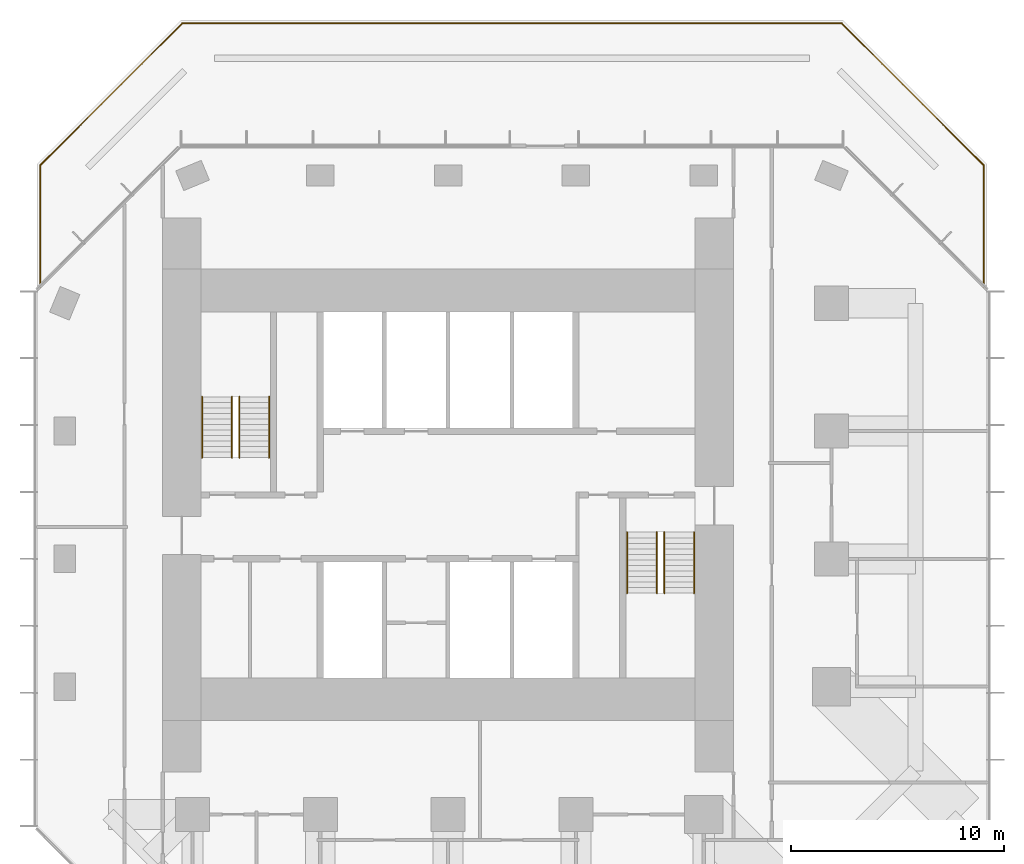
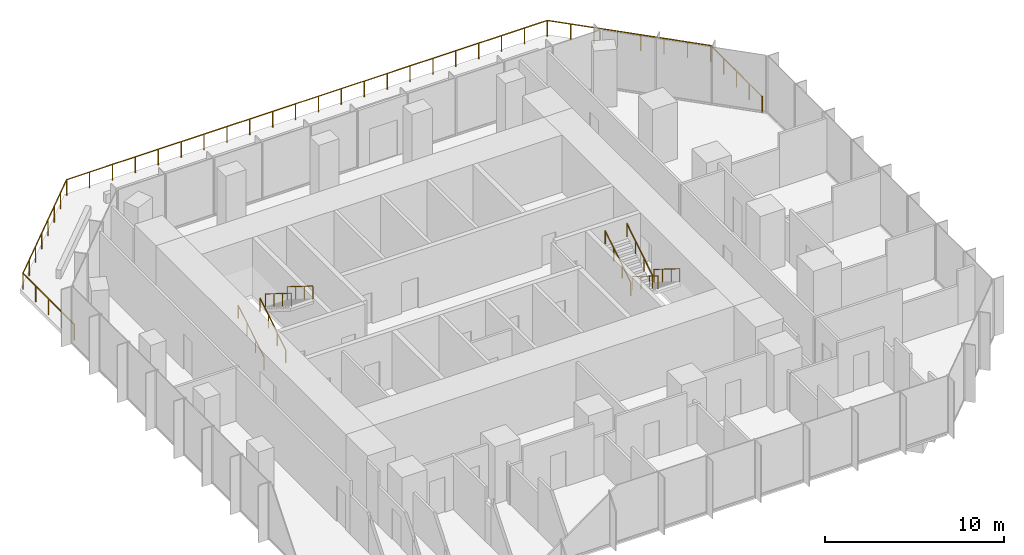
# One storey, part 11 of 11: 9 railings.
"""IFC4 building model written with IfcOpenShell, lengths in metres."""

from ifc_helpers import new_model, si_unit, direction, frame, origin, origin_2d, place, context, subcontext, project, spatial, circle, extrude, material, type_object, element, save


model = new_model("IFC4")

# Units and contexts
model_context = context("Model", 3, precision=1e-05, world=origin(), true_north=direction((0.0, 1.0)))
body_context = subcontext(model_context, "Body", "Model", "MODEL_VIEW")
ifc_project = project(units=[si_unit("LENGTHUNIT", "METRE"), si_unit("AREAUNIT", "SQUARE_METRE"), si_unit("VOLUMEUNIT", "CUBIC_METRE"), si_unit("PLANEANGLEUNIT", "RADIAN"), si_unit("MASSUNIT", "GRAM", prefix="KILO")], contexts=[model_context])

# Site, building, storey
site_placement = place(None, origin())
site = spatial("IfcSite", under=ifc_project, at=site_placement, CompositionType="ELEMENT")
building_placement = place(site_placement, origin())
building = spatial("IfcBuilding", under=site, at=building_placement, Name="Highveld Stack Headquarters", CompositionType="ELEMENT")
storey_placement = place(building_placement, frame((0.0, 0.0, 268.39990234375)))
storey = spatial("IfcBuildingStorey", under=building, at=storey_placement, Name="L66", CompositionType="ELEMENT", Elevation=268.39990234375)

# Railings
ifc_material_1 = material(Name="Stainless steel handrail", Category="steel")
railing_type_1 = type_object("IfcRailingType", Name="STAIR HANDRAIL HR1 900", PredefinedType="HANDRAIL", material=ifc_material_1)
for number, where, name in (
    (1, (-5.550048828125, 4.75, 0.16259765625), "Handrail S1 L66 flight 1"),
    (2, (-4.14990234375, 4.75, 0.16259765625), "Handrail S1 L66 flight 1"),
):
    element("IfcRailing", number, at=place(storey_placement, frame(where)), inside=storey, type_object=railing_type_1, Name=name, PredefinedType="HANDRAIL", context=body_context, shape_type="SweptSolid", body=[
        extrude(circle(Radius=0.02392578125, at=origin_2d()), frame((0.0, 0.0, 0.8759765625), z_axis=(0.0, 0.847994237388, 0.530005446535), x_axis=(-1.0, 0.0, 0.0)), (0.0, 0.0, 1.0), 3.372802734375),
        extrude(circle(Radius=0.02099609375, at=origin_2d()), origin(), (0.0, 0.0, 1.0), 0.851806640625),
        extrude(circle(Radius=0.02099609375, at=origin_2d()), frame((0.0, 0.953369140625, 0.595947265625)), (0.0, 0.0, 1.0), 0.851806640625),
        extrude(circle(Radius=0.02099609375, at=origin_2d()), frame((0.0, 1.90673828125, 1.191650390625)), (0.0, 0.0, 1.0), 0.851806640625),
        extrude(circle(Radius=0.02099609375, at=origin_2d()), frame((0.0, 2.860107421875, 1.78759765625)), (0.0, 0.0, 1.0), 0.851806640625),
    ])
for number, where, name in (
    (3, (-3.800048828125, 7.610107421875, 2.112548828125), "Handrail S1 L66 flight 2"),
    (4, (-2.39990234375, 7.610107421875, 2.112548828125), "Handrail S1 L66 flight 2"),
    (5, (16.14990234375, 1.25, 0.16259765625), "Handrail S2 L66 flight 1"),
    (6, (17.550048828125, 1.25, 0.16259765625), "Handrail S2 L66 flight 1"),
):
    element("IfcRailing", number, at=place(storey_placement, frame(where)), inside=storey, type_object=railing_type_1, Name=name, PredefinedType="HANDRAIL", context=body_context, shape_type="SweptSolid", body=[
        extrude(circle(Radius=0.02392578125, at=origin_2d()), frame((0.0, 0.0, 0.8759765625), z_axis=(0.0, -0.847994237388, 0.530005446535), x_axis=(1.0, 0.0, 0.0)), (0.0, 0.0, 1.0), 3.372802734375),
        extrude(circle(Radius=0.02099609375, at=origin_2d()), origin(), (0.0, 0.0, 1.0), 0.851806640625),
        extrude(circle(Radius=0.02099609375, at=origin_2d()), frame((0.0, -0.953369140625, 0.595947265625)), (0.0, 0.0, 1.0), 0.851806640625),
        extrude(circle(Radius=0.02099609375, at=origin_2d()), frame((0.0, -1.90673828125, 1.191650390625)), (0.0, 0.0, 1.0), 0.851806640625),
        extrude(circle(Radius=0.02099609375, at=origin_2d()), frame((0.0, -2.860107421875, 1.78759765625)), (0.0, 0.0, 1.0), 0.851806640625),
    ])
for number, where, name in (
    (7, (14.39990234375, -1.610107421875, 2.112548828125), "Handrail S2 L66 flight 2"),
    (8, (15.800048828125, -1.610107421875, 2.112548828125), "Handrail S2 L66 flight 2"),
):
    element("IfcRailing", number, at=place(storey_placement, frame(where)), inside=storey, type_object=railing_type_1, Name=name, PredefinedType="HANDRAIL", context=body_context, shape_type="SweptSolid", body=[
        extrude(circle(Radius=0.02392578125, at=origin_2d()), frame((0.0, 0.0, 0.8759765625), z_axis=(0.0, 0.847994237388, 0.530005446535), x_axis=(-1.0, 0.0, 0.0)), (0.0, 0.0, 1.0), 3.372802734375),
        extrude(circle(Radius=0.02099609375, at=origin_2d()), origin(), (0.0, 0.0, 1.0), 0.851806640625),
        extrude(circle(Radius=0.02099609375, at=origin_2d()), frame((0.0, 0.953369140625, 0.595947265625)), (0.0, 0.0, 1.0), 0.851806640625),
        extrude(circle(Radius=0.02099609375, at=origin_2d()), frame((0.0, 1.90673828125, 1.191650390625)), (0.0, 0.0, 1.0), 0.851806640625),
        extrude(circle(Radius=0.02099609375, at=origin_2d()), frame((0.0, 2.860107421875, 1.78759765625)), (0.0, 0.0, 1.0), 0.851806640625),
    ])
ifc_material_2 = material(Name="Laminated glass balustrade with bronze handrail", Category="glass")
railing_type_2 = type_object("IfcRailingType", Name="TERRACE GUARD GR1 1100 GLASS", PredefinedType="GUARDRAIL", material=ifc_material_2)
railing_placement = place(storey_placement, frame((-13.14990234375, 12.75048828125, 0.0)))
element("IfcRailing", 9, at=railing_placement, inside=storey, type_object=railing_type_2, Name="Terrace guard L66 1", PredefinedType="GUARDRAIL", context=body_context, shape_type="SweptSolid", body=[
    extrude(circle(Radius=0.02392578125, at=origin_2d()), frame((0.0, 0.0, 1.076171875), z_axis=(0.0, 1.0, 0.0), x_axis=(-1.0, 0.0, 0.0)), (0.0, 0.0, 1.0), 5.725830078125),
    extrude(circle(Radius=0.02392578125, at=origin_2d()), frame((0.0, 5.725830078125, 1.076171875), z_axis=(0.707106781187, 0.707106781187, 0.0), x_axis=(-0.707106781187, 0.707106781187, 0.0)), (0.0, 0.0, 1.0), 9.43798828125),
    extrude(circle(Radius=0.02392578125, at=origin_2d()), frame((6.673583984375, 12.3994140625, 1.076171875), z_axis=(1.0, 0.0, 0.0), x_axis=(0.0, 1.0, 0.0)), (0.0, 0.0, 1.0), 30.95263671875),
    extrude(circle(Radius=0.02392578125, at=origin_2d()), frame((37.626220703125, 12.3994140625, 1.076171875), z_axis=(0.707106781187, -0.707106781187, 0.0), x_axis=(0.707106781187, 0.707106781187, 0.0)), (0.0, 0.0, 1.0), 9.43798828125),
    extrude(circle(Radius=0.02392578125, at=origin_2d()), frame((44.2998046875, 5.725830078125, 1.076171875), z_axis=(0.0, -1.0, 0.0), x_axis=(1.0, 0.0, 0.0)), (0.0, 0.0, 1.0), 5.725830078125),
    extrude(circle(Radius=0.02099609375, at=origin_2d()), origin(), (0.0, 0.0, 1.0), 1.052001953125),
    extrude(circle(Radius=0.02099609375, at=origin_2d()), frame((0.0, 1.431396484375, 0.0)), (0.0, 0.0, 1.0), 1.052001953125),
    extrude(circle(Radius=0.02099609375, at=origin_2d()), frame((0.0, 2.86279296875, 0.0)), (0.0, 0.0, 1.0), 1.052001953125),
    extrude(circle(Radius=0.02099609375, at=origin_2d()), frame((0.0, 4.29443359375, 0.0)), (0.0, 0.0, 1.0), 1.052001953125),
    extrude(circle(Radius=0.02099609375, at=origin_2d()), frame((0.0, 5.725830078125, 0.0)), (0.0, 0.0, 1.0), 1.052001953125),
    extrude(circle(Radius=0.02099609375, at=origin_2d()), frame((0.953369140625, 6.67919921875, 0.0)), (0.0, 0.0, 1.0), 1.052001953125),
    extrude(circle(Radius=0.02099609375, at=origin_2d()), frame((1.90673828125, 7.632568359375, 0.0)), (0.0, 0.0, 1.0), 1.052001953125),
    extrude(circle(Radius=0.02099609375, at=origin_2d()), frame((2.860107421875, 8.5859375, 0.0)), (0.0, 0.0, 1.0), 1.052001953125),
    extrude(circle(Radius=0.02099609375, at=origin_2d()), frame((3.8134765625, 9.539306640625, 0.0)), (0.0, 0.0, 1.0), 1.052001953125),
    extrude(circle(Radius=0.02099609375, at=origin_2d()), frame((4.766845703125, 10.49267578125, 0.0)), (0.0, 0.0, 1.0), 1.052001953125),
    extrude(circle(Radius=0.02099609375, at=origin_2d()), frame((5.72021484375, 11.446044921875, 0.0)), (0.0, 0.0, 1.0), 1.052001953125),
    extrude(circle(Radius=0.02099609375, at=origin_2d()), frame((6.673583984375, 12.3994140625, 0.0)), (0.0, 0.0, 1.0), 1.052001953125),
    extrude(circle(Radius=0.02099609375, at=origin_2d()), frame((8.1474609375, 12.3994140625, 0.0)), (0.0, 0.0, 1.0), 1.052001953125),
    extrude(circle(Radius=0.02099609375, at=origin_2d()), frame((9.621337890625, 12.3994140625, 0.0)), (0.0, 0.0, 1.0), 1.052001953125),
    extrude(circle(Radius=0.02099609375, at=origin_2d()), frame((11.095458984375, 12.3994140625, 0.0)), (0.0, 0.0, 1.0), 1.052001953125),
    extrude(circle(Radius=0.02099609375, at=origin_2d()), frame((12.5693359375, 12.3994140625, 0.0)), (0.0, 0.0, 1.0), 1.052001953125),
    extrude(circle(Radius=0.02099609375, at=origin_2d()), frame((14.043212890625, 12.3994140625, 0.0)), (0.0, 0.0, 1.0), 1.052001953125),
    extrude(circle(Radius=0.02099609375, at=origin_2d()), frame((15.51708984375, 12.3994140625, 0.0)), (0.0, 0.0, 1.0), 1.052001953125),
    extrude(circle(Radius=0.02099609375, at=origin_2d()), frame((16.9912109375, 12.3994140625, 0.0)), (0.0, 0.0, 1.0), 1.052001953125),
    extrude(circle(Radius=0.02099609375, at=origin_2d()), frame((18.465087890625, 12.3994140625, 0.0)), (0.0, 0.0, 1.0), 1.052001953125),
    extrude(circle(Radius=0.02099609375, at=origin_2d()), frame((19.93896484375, 12.3994140625, 0.0)), (0.0, 0.0, 1.0), 1.052001953125),
    extrude(circle(Radius=0.02099609375, at=origin_2d()), frame((21.412841796875, 12.3994140625, 0.0)), (0.0, 0.0, 1.0), 1.052001953125),
    extrude(circle(Radius=0.02099609375, at=origin_2d()), frame((22.886962890625, 12.3994140625, 0.0)), (0.0, 0.0, 1.0), 1.052001953125),
    extrude(circle(Radius=0.02099609375, at=origin_2d()), frame((24.36083984375, 12.3994140625, 0.0)), (0.0, 0.0, 1.0), 1.052001953125),
    extrude(circle(Radius=0.02099609375, at=origin_2d()), frame((25.834716796875, 12.3994140625, 0.0)), (0.0, 0.0, 1.0), 1.052001953125),
    extrude(circle(Radius=0.02099609375, at=origin_2d()), frame((27.30859375, 12.3994140625, 0.0)), (0.0, 0.0, 1.0), 1.052001953125),
    extrude(circle(Radius=0.02099609375, at=origin_2d()), frame((28.78271484375, 12.3994140625, 0.0)), (0.0, 0.0, 1.0), 1.052001953125),
    extrude(circle(Radius=0.02099609375, at=origin_2d()), frame((30.256591796875, 12.3994140625, 0.0)), (0.0, 0.0, 1.0), 1.052001953125),
    extrude(circle(Radius=0.02099609375, at=origin_2d()), frame((31.73046875, 12.3994140625, 0.0)), (0.0, 0.0, 1.0), 1.052001953125),
    extrude(circle(Radius=0.02099609375, at=origin_2d()), frame((33.204345703125, 12.3994140625, 0.0)), (0.0, 0.0, 1.0), 1.052001953125),
    extrude(circle(Radius=0.02099609375, at=origin_2d()), frame((34.678466796875, 12.3994140625, 0.0)), (0.0, 0.0, 1.0), 1.052001953125),
    extrude(circle(Radius=0.02099609375, at=origin_2d()), frame((36.15234375, 12.3994140625, 0.0)), (0.0, 0.0, 1.0), 1.052001953125),
    extrude(circle(Radius=0.02099609375, at=origin_2d()), frame((37.626220703125, 12.3994140625, 0.0)), (0.0, 0.0, 1.0), 1.052001953125),
    extrude(circle(Radius=0.02099609375, at=origin_2d()), frame((38.57958984375, 11.446044921875, 0.0)), (0.0, 0.0, 1.0), 1.052001953125),
    extrude(circle(Radius=0.02099609375, at=origin_2d()), frame((39.532958984375, 10.49267578125, 0.0)), (0.0, 0.0, 1.0), 1.052001953125),
    extrude(circle(Radius=0.02099609375, at=origin_2d()), frame((40.486328125, 9.539306640625, 0.0)), (0.0, 0.0, 1.0), 1.052001953125),
    extrude(circle(Radius=0.02099609375, at=origin_2d()), frame((41.439697265625, 8.5859375, 0.0)), (0.0, 0.0, 1.0), 1.052001953125),
    extrude(circle(Radius=0.02099609375, at=origin_2d()), frame((42.39306640625, 7.632568359375, 0.0)), (0.0, 0.0, 1.0), 1.052001953125),
    extrude(circle(Radius=0.02099609375, at=origin_2d()), frame((43.346435546875, 6.67919921875, 0.0)), (0.0, 0.0, 1.0), 1.052001953125),
    extrude(circle(Radius=0.02099609375, at=origin_2d()), frame((44.2998046875, 5.725830078125, 0.0)), (0.0, 0.0, 1.0), 1.052001953125),
    extrude(circle(Radius=0.02099609375, at=origin_2d()), frame((44.2998046875, 4.29443359375, 0.0)), (0.0, 0.0, 1.0), 1.052001953125),
    extrude(circle(Radius=0.02099609375, at=origin_2d()), frame((44.2998046875, 2.86279296875, 0.0)), (0.0, 0.0, 1.0), 1.052001953125),
    extrude(circle(Radius=0.02099609375, at=origin_2d()), frame((44.2998046875, 1.431396484375, 0.0)), (0.0, 0.0, 1.0), 1.052001953125),
    extrude(circle(Radius=0.02099609375, at=origin_2d()), frame((44.2998046875, 0.0, 0.0)), (0.0, 0.0, 1.0), 1.052001953125),
])

save(model, "model.ifc")
